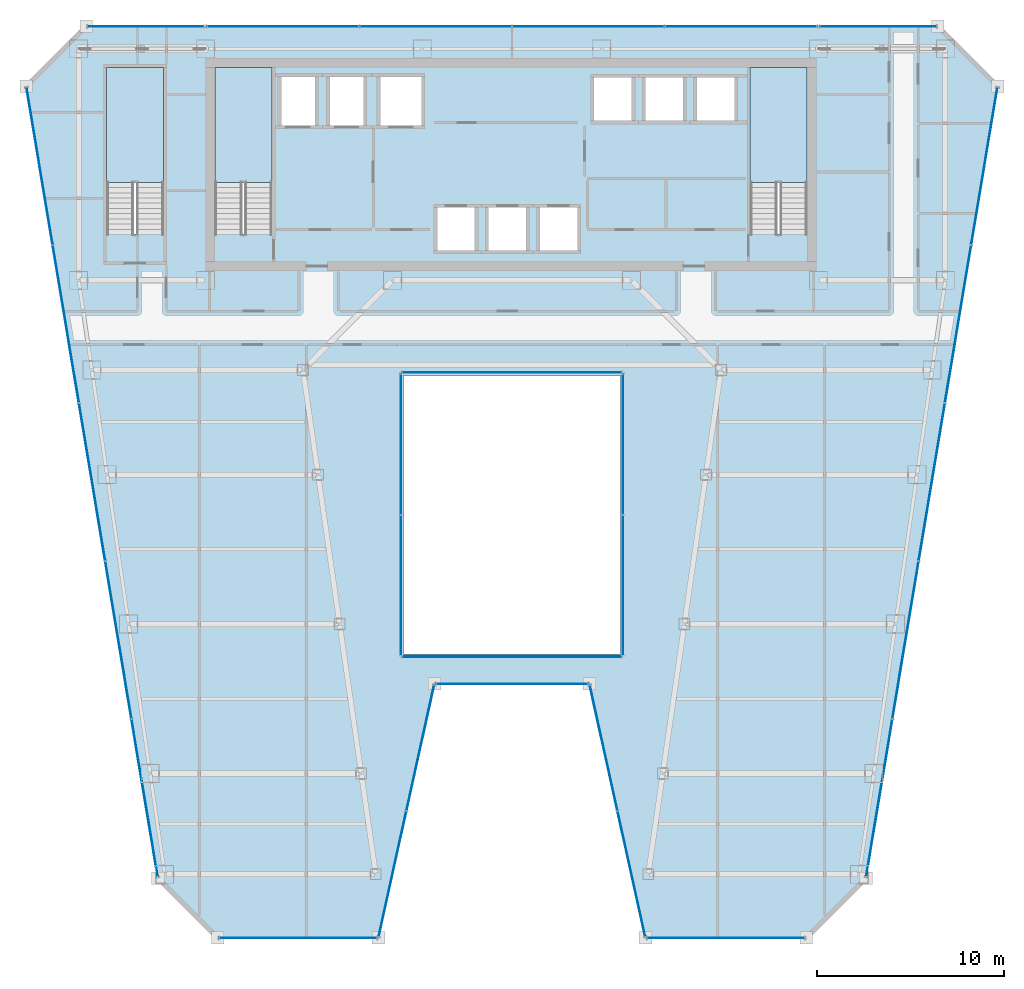
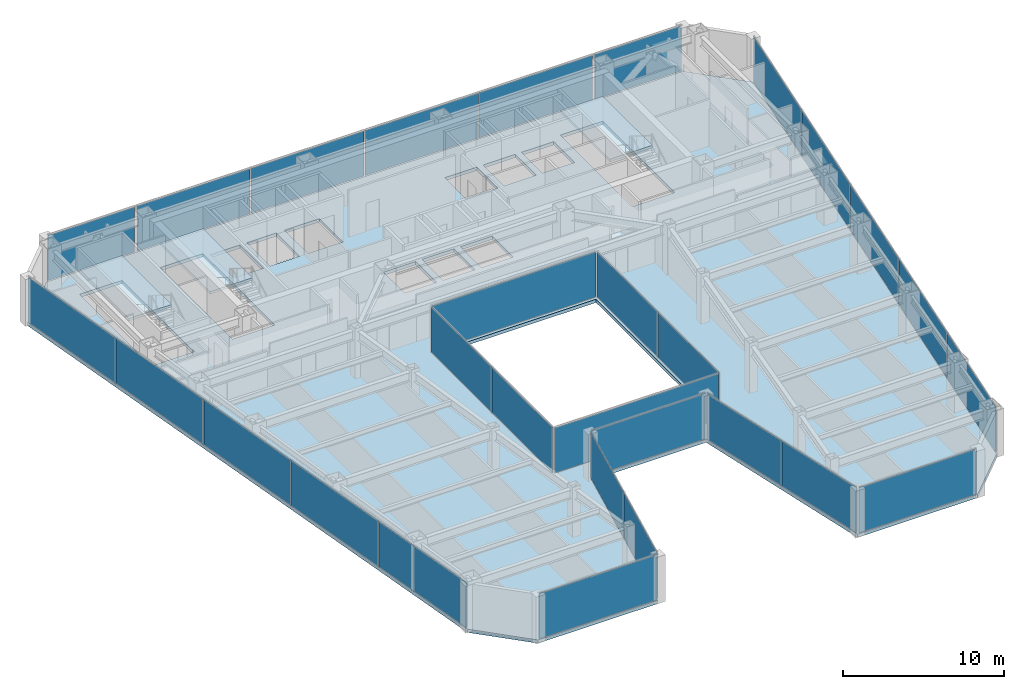
# One storey, part 31 of 40: 29 plates, 4 slabs, 17 elements without a shape of their own.
"""IFC4 building model written with IfcOpenShell, lengths in metres."""

from ifc_helpers import new_model, si_unit, direction, frame, origin, origin_2d, place, context, subcontext, project, spatial, polyline, rectangle, outline, extrude, material, layer, layer_set, type_object, element, aggregate, save


model = new_model("IFC4")

# Units and contexts
model_context = context("Model", 3, precision=1e-05, world=origin(), true_north=direction((0.0, 1.0)))
body_context = subcontext(model_context, "Body", "Model", "MODEL_VIEW")
ifc_project = project(units=[si_unit("LENGTHUNIT", "METRE"), si_unit("AREAUNIT", "SQUARE_METRE"), si_unit("VOLUMEUNIT", "CUBIC_METRE"), si_unit("PLANEANGLEUNIT", "RADIAN"), si_unit("MASSUNIT", "GRAM", prefix="KILO")], contexts=[model_context])

# Site, building, storey
site_placement = place(None, origin())
site = spatial("IfcSite", under=ifc_project, at=site_placement, CompositionType="ELEMENT")
building_placement = place(site_placement, origin())
building = spatial("IfcBuilding", under=site, at=building_placement, Name="Saevonmaru Cultural Tower", CompositionType="ELEMENT")
storey_placement = place(building_placement, frame((0.0, 0.0, 129.60009765625)))
storey = spatial("IfcBuildingStorey", under=building, at=storey_placement, Name="L27", CompositionType="ELEMENT", Elevation=129.60009765625)

# Curtain wall, plate
ifc_material_1 = material(Name="Satin Bronze Anodised Aluminium", Category="aluminium")
curtain_wall_type_1 = type_object("IfcCurtainWallType", Name="CW-ATR-GLZ", PredefinedType="NOTDEFINED", material=ifc_material_1)
curtain_wall_1_placement = place(storey_placement, origin())
curtain_wall_1 = element("IfcCurtainWall", 1, at=curtain_wall_1_placement, inside=storey, type_object=curtain_wall_type_1, Name="L27 Vertical Atrium Glazed Smoke Screen 1", PredefinedType="NOTDEFINED")
ifc_material_2 = material(Name="Fire-Rated Laminated Atrium Glass", Category="glass")
ifc_layer_1 = layer(ifc_material_2, 0.031982421875, Name="Fire-Rated Laminated Atrium Glass")
ifc_layer_set_1 = layer_set([ifc_layer_1], Name="Fire-Rated Laminated Atrium Glass")
plate_type_1 = type_object("IfcPlateType", Name="PN-GLZ-ATR-INT", PredefinedType="CURTAIN_PANEL", material=ifc_layer_set_1)
plate_1_placement = place(storey_placement, frame((30.0, 22.25, 0.06689453125), z_axis=(0.0, 0.0, 1.0), x_axis=(1.0, 0.0, 0.0)))
plate_1 = element("IfcPlate", 2, at=plate_1_placement, type_object=plate_type_1, Name="CW-ATR-L27-1 panel 1.1", PredefinedType="CURTAIN_PANEL", context=body_context, shape_type="SweptSolid", body=[
    extrude(rectangle(XDim=11.7109375, YDim=0.031982421875, at=origin_2d()), origin(), (0.0, 0.0, 1.0), 3.416015625),
])
aggregate(curtain_wall_1, [plate_1])

# Curtain wall, plates
curtain_wall_2_placement = place(storey_placement, origin())
curtain_wall_2 = element("IfcCurtainWall", 3, at=curtain_wall_2_placement, inside=storey, type_object=curtain_wall_type_1, Name="L27 Vertical Atrium Glazed Smoke Screen 2", PredefinedType="NOTDEFINED")
plate_2_placement = place(storey_placement, frame((35.949951171875, 26.0849609375, 0.06689453125), z_axis=(0.0, 0.0, 1.0), x_axis=(0.0, 1.0, 0.0)))
plate_2 = element("IfcPlate", 4, at=plate_2_placement, type_object=plate_type_1, Name="CW-ATR-L27-2 panel 1.1", PredefinedType="CURTAIN_PANEL", context=body_context, shape_type="SweptSolid", body=[
    extrude(rectangle(XDim=7.48095703125, YDim=0.031982421875, at=origin_2d()), origin(), (0.0, 0.0, 1.0), 3.416015625),
])
plate_3_placement = place(storey_placement, frame((35.949951171875, 33.635009765625, 0.06689453125), z_axis=(0.0, 0.0, 1.0), x_axis=(0.0, 1.0, 0.0)))
plate_3 = element("IfcPlate", 5, at=plate_3_placement, type_object=plate_type_1, Name="CW-ATR-L27-2 panel 2.1", PredefinedType="CURTAIN_PANEL", context=body_context, shape_type="SweptSolid", body=[
    extrude(rectangle(XDim=7.48095703125, YDim=0.031982421875, at=origin_2d()), origin(), (0.0, 0.0, 1.0), 3.416015625),
])
aggregate(curtain_wall_2, [plate_2, plate_3])

# Curtain wall, plate
curtain_wall_3_placement = place(storey_placement, origin())
curtain_wall_3 = element("IfcCurtainWall", 6, at=curtain_wall_3_placement, inside=storey, type_object=curtain_wall_type_1, Name="L27 Vertical Atrium Glazed Smoke Screen 3", PredefinedType="NOTDEFINED")
plate_4_placement = place(storey_placement, frame((30.0, 37.469970703125, 0.06689453125), z_axis=(0.0, 0.0, 1.0), x_axis=(-1.0, 0.0, 0.0)))
plate_4 = element("IfcPlate", 7, at=plate_4_placement, type_object=plate_type_1, Name="CW-ATR-L27-3 panel 1.1", PredefinedType="CURTAIN_PANEL", context=body_context, shape_type="SweptSolid", body=[
    extrude(rectangle(XDim=11.7109375, YDim=0.031982421875, at=origin_2d()), origin(), (0.0, 0.0, 1.0), 3.416015625),
])
aggregate(curtain_wall_3, [plate_4])

# Curtain wall, plates
curtain_wall_4_placement = place(storey_placement, origin())
curtain_wall_4 = element("IfcCurtainWall", 8, at=curtain_wall_4_placement, inside=storey, type_object=curtain_wall_type_1, Name="L27 Vertical Atrium Glazed Smoke Screen 4", PredefinedType="NOTDEFINED")
plate_5_placement = place(storey_placement, frame((24.050048828125, 33.635009765625, 0.06689453125), z_axis=(0.0, 0.0, 1.0), x_axis=(0.0, -1.0, 0.0)))
plate_5 = element("IfcPlate", 9, at=plate_5_placement, type_object=plate_type_1, Name="CW-ATR-L27-4 panel 1.1", PredefinedType="CURTAIN_PANEL", context=body_context, shape_type="SweptSolid", body=[
    extrude(rectangle(XDim=7.48095703125, YDim=0.031982421875, at=origin_2d()), origin(), (0.0, 0.0, 1.0), 3.416015625),
])
plate_6_placement = place(storey_placement, frame((24.050048828125, 26.0849609375, 0.06689453125), z_axis=(0.0, 0.0, 1.0), x_axis=(0.0, -1.0, 0.0)))
plate_6 = element("IfcPlate", 10, at=plate_6_placement, type_object=plate_type_1, Name="CW-ATR-L27-4 panel 2.1", PredefinedType="CURTAIN_PANEL", context=body_context, shape_type="SweptSolid", body=[
    extrude(rectangle(XDim=7.48095703125, YDim=0.031982421875, at=origin_2d()), origin(), (0.0, 0.0, 1.0), 3.416015625),
])
aggregate(curtain_wall_4, [plate_5, plate_6])

# Curtain wall, plate
curtain_wall_type_2 = type_object("IfcCurtainWallType", Name="CW-SKY-GLZ", PredefinedType="NOTDEFINED", material=ifc_material_1)
curtain_wall_5_placement = place(storey_placement, origin())
curtain_wall_5 = element("IfcCurtainWall", 11, at=curtain_wall_5_placement, inside=storey, type_object=curtain_wall_type_2, Name="L27 Unitised Curtain Wall E2", PredefinedType="NOTDEFINED")
ifc_material_3 = material(Name="Triple Silver Low-E Insulating Glass", Category="glass")
ifc_layer_2 = layer(ifc_material_3, 0.035888671875, Name="Triple Silver Low-E Insulating Glass")
ifc_layer_set_2 = layer_set([ifc_layer_2], Name="Triple Silver Low-E Insulating Glass")
plate_type_2 = type_object("IfcPlateType", Name="PN-GLZ-IGU", PredefinedType="CURTAIN_PANEL", material=ifc_layer_set_2)
plate_7_placement = place(storey_placement, frame((18.548828125, 7.199951171875, 0.06689453125), z_axis=(0.0, 0.0, 1.0), x_axis=(1.0, 0.0, 0.0)))
plate_7 = element("IfcPlate", 12, at=plate_7_placement, type_object=plate_type_2, Name="CW-TW-L27-E2 panel 1.1", PredefinedType="CURTAIN_PANEL", context=body_context, shape_type="SweptSolid", body=[
    extrude(rectangle(XDim=8.410888671875, YDim=0.035888671875, at=origin_2d()), origin(), (0.0, 0.0, 1.0), 3.416015625),
])
aggregate(curtain_wall_5, [plate_7])

# Curtain wall, plates
curtain_wall_6_placement = place(storey_placement, origin())
curtain_wall_6 = element("IfcCurtainWall", 13, at=curtain_wall_6_placement, inside=storey, type_object=curtain_wall_type_2, Name="L27 Unitised Curtain Wall E3", PredefinedType="NOTDEFINED")
plate_8_placement = place(storey_placement, frame((23.60546875, 10.62939453125, 0.06689453125), z_axis=(0.0, 0.0, 1.0), x_axis=(0.215413319953, 0.976522965212, 0.0)))
plate_8 = element("IfcPlate", 14, at=plate_8_placement, type_object=plate_type_2, Name="CW-TW-L27-E3 panel 1.1", PredefinedType="CURTAIN_PANEL", context=body_context, shape_type="SweptSolid", body=[
    extrude(rectangle(XDim=6.83447265625, YDim=0.035888671875, at=origin_2d()), origin(), (0.0, 0.0, 1.0), 3.416015625),
])
plate_9_placement = place(storey_placement, frame((25.092529296875, 17.37060546875, 0.06689453125), z_axis=(0.0, 0.0, 1.0), x_axis=(0.215413319953, 0.976522965212, 0.0)))
plate_9 = element("IfcPlate", 15, at=plate_9_placement, type_object=plate_type_2, Name="CW-TW-L27-E3 panel 2.1", PredefinedType="CURTAIN_PANEL", context=body_context, shape_type="SweptSolid", body=[
    extrude(rectangle(XDim=6.83447265625, YDim=0.035888671875, at=origin_2d()), origin(), (0.0, 0.0, 1.0), 3.416015625),
])
aggregate(curtain_wall_6, [plate_8, plate_9])

# Curtain wall, plate
curtain_wall_7_placement = place(storey_placement, origin())
curtain_wall_7 = element("IfcCurtainWall", 16, at=curtain_wall_7_placement, inside=storey, type_object=curtain_wall_type_2, Name="L27 Unitised Curtain Wall E4", PredefinedType="NOTDEFINED")
plate_10_placement = place(storey_placement, frame((30.0, 20.800048828125, 0.06689453125), z_axis=(0.0, 0.0, 1.0), x_axis=(1.0, 0.0, 0.0)))
plate_10 = element("IfcPlate", 17, at=plate_10_placement, type_object=plate_type_2, Name="CW-TW-L27-E4 panel 1.1", PredefinedType="CURTAIN_PANEL", context=body_context, shape_type="SweptSolid", body=[
    extrude(rectangle(XDim=8.11328125, YDim=0.035888671875, at=origin_2d()), origin(), (0.0, 0.0, 1.0), 3.416015625),
])
aggregate(curtain_wall_7, [plate_10])

# Curtain wall, plates
curtain_wall_8_placement = place(storey_placement, origin())
curtain_wall_8 = element("IfcCurtainWall", 18, at=curtain_wall_8_placement, inside=storey, type_object=curtain_wall_type_2, Name="L27 Unitised Curtain Wall E5", PredefinedType="NOTDEFINED")
plate_11_placement = place(storey_placement, frame((34.907470703125, 17.37060546875, 0.06689453125), z_axis=(0.0, 0.0, 1.0), x_axis=(0.215413319953, -0.976522965212, 0.0)))
plate_11 = element("IfcPlate", 19, at=plate_11_placement, type_object=plate_type_2, Name="CW-TW-L27-E5 panel 1.1", PredefinedType="CURTAIN_PANEL", context=body_context, shape_type="SweptSolid", body=[
    extrude(rectangle(XDim=6.83447265625, YDim=0.035888671875, at=origin_2d()), origin(), (0.0, 0.0, 1.0), 3.416015625),
])
plate_12_placement = place(storey_placement, frame((36.39453125, 10.62939453125, 0.06689453125), z_axis=(0.0, 0.0, 1.0), x_axis=(0.215413319953, -0.976522965212, 0.0)))
plate_12 = element("IfcPlate", 20, at=plate_12_placement, type_object=plate_type_2, Name="CW-TW-L27-E5 panel 2.1", PredefinedType="CURTAIN_PANEL", context=body_context, shape_type="SweptSolid", body=[
    extrude(rectangle(XDim=6.83447265625, YDim=0.035888671875, at=origin_2d()), origin(), (0.0, 0.0, 1.0), 3.416015625),
])
aggregate(curtain_wall_8, [plate_11, plate_12])

# Curtain wall, plate
curtain_wall_9_placement = place(storey_placement, origin())
curtain_wall_9 = element("IfcCurtainWall", 21, at=curtain_wall_9_placement, inside=storey, type_object=curtain_wall_type_2, Name="L27 Unitised Curtain Wall E6", PredefinedType="NOTDEFINED")
plate_13_placement = place(storey_placement, frame((41.451171875, 7.199951171875, 0.06689453125), z_axis=(0.0, 0.0, 1.0), x_axis=(1.0, 0.0, 0.0)))
plate_13 = element("IfcPlate", 22, at=plate_13_placement, type_object=plate_type_2, Name="CW-TW-L27-E6 panel 1.1", PredefinedType="CURTAIN_PANEL", context=body_context, shape_type="SweptSolid", body=[
    extrude(rectangle(XDim=8.410888671875, YDim=0.035888671875, at=origin_2d()), origin(), (0.0, 0.0, 1.0), 3.416015625),
])
aggregate(curtain_wall_9, [plate_13])

# Curtain wall, plates
curtain_wall_10_placement = place(storey_placement, origin())
curtain_wall_10 = element("IfcCurtainWall", 23, at=curtain_wall_10_placement, inside=storey, type_object=curtain_wall_type_2, Name="L27 Unitised Curtain Wall E8", PredefinedType="NOTDEFINED")
plate_14_placement = place(storey_placement, frame((49.663818359375, 14.687255859375, 0.06689453125), z_axis=(0.0, 0.0, 1.0), x_axis=(0.163998702345, 0.986460554523, 0.0)))
plate_14 = element("IfcPlate", 24, at=plate_14_placement, type_object=plate_type_2, Name="CW-TW-L27-E8 panel 1.1", PredefinedType="CURTAIN_PANEL", context=body_context, shape_type="SweptSolid", body=[
    extrude(rectangle(XDim=8.50341796875, YDim=0.035888671875, at=origin_2d()), origin(), (0.0, 0.0, 1.0), 3.416015625),
])
plate_15_placement = place(storey_placement, frame((51.069580078125, 23.143798828125, 0.06689453125), z_axis=(0.0, 0.0, 1.0), x_axis=(0.163998702345, 0.986460554523, 0.0)))
plate_15 = element("IfcPlate", 25, at=plate_15_placement, type_object=plate_type_2, Name="CW-TW-L27-E8 panel 2.1", PredefinedType="CURTAIN_PANEL", context=body_context, shape_type="SweptSolid", body=[
    extrude(rectangle(XDim=8.50341796875, YDim=0.035888671875, at=origin_2d()), origin(), (0.0, 0.0, 1.0), 3.416015625),
])
plate_16_placement = place(storey_placement, frame((52.4755859375, 31.60009765625, 0.06689453125), z_axis=(0.0, 0.0, 1.0), x_axis=(0.163998702345, 0.986460554523, 0.0)))
plate_16 = element("IfcPlate", 26, at=plate_16_placement, type_object=plate_type_2, Name="CW-TW-L27-E8 panel 3.1", PredefinedType="CURTAIN_PANEL", context=body_context, shape_type="SweptSolid", body=[
    extrude(rectangle(XDim=8.50341796875, YDim=0.035888671875, at=origin_2d()), origin(), (0.0, 0.0, 1.0), 3.416015625),
])
plate_17_placement = place(storey_placement, frame((53.88134765625, 40.056396484375, 0.06689453125), z_axis=(0.0, 0.0, 1.0), x_axis=(0.163998702345, 0.986460554523, 0.0)))
plate_17 = element("IfcPlate", 27, at=plate_17_placement, type_object=plate_type_2, Name="CW-TW-L27-E8 panel 4.1", PredefinedType="CURTAIN_PANEL", context=body_context, shape_type="SweptSolid", body=[
    extrude(rectangle(XDim=8.50341796875, YDim=0.035888671875, at=origin_2d()), origin(), (0.0, 0.0, 1.0), 3.416015625),
])
plate_18_placement = place(storey_placement, frame((55.287353515625, 48.5126953125, 0.06689453125), z_axis=(0.0, 0.0, 1.0), x_axis=(0.163998702345, 0.986460554523, 0.0)))
plate_18 = element("IfcPlate", 28, at=plate_18_placement, type_object=plate_type_2, Name="CW-TW-L27-E8 panel 5.1", PredefinedType="CURTAIN_PANEL", context=body_context, shape_type="SweptSolid", body=[
    extrude(rectangle(XDim=8.50341796875, YDim=0.035888671875, at=origin_2d()), origin(), (0.0, 0.0, 1.0), 3.416015625),
])
aggregate(curtain_wall_10, [plate_14, plate_15, plate_16, plate_17, plate_18])

curtain_wall_11_placement = place(storey_placement, origin())
curtain_wall_11 = element("IfcCurtainWall", 29, at=curtain_wall_11_placement, inside=storey, type_object=curtain_wall_type_2, Name="L27 North Spine Unitised Curtain Wall E10B", PredefinedType="NOTDEFINED")
plate_19_placement = place(storey_placement, frame((42.2548828125, 56.0, 0.06689453125), z_axis=(0.0, 0.0, 1.0), x_axis=(-1.0, 0.0, 0.0)))
plate_19 = element("IfcPlate", 30, at=plate_19_placement, type_object=plate_type_2, Name="CW-TW-L27-E10B panel 1.1", PredefinedType="CURTAIN_PANEL", context=body_context, shape_type="SweptSolid", body=[
    extrude(rectangle(XDim=8.10107421875, YDim=0.035888671875, at=origin_2d()), origin(), (0.0, 0.0, 1.0), 3.416015625),
])
plate_20_placement = place(storey_placement, frame((34.0849609375, 56.0, 0.06689453125), z_axis=(0.0, 0.0, 1.0), x_axis=(-1.0, 0.0, 0.0)))
plate_20 = element("IfcPlate", 31, at=plate_20_placement, type_object=plate_type_2, Name="CW-TW-L27-E10B panel 2.1", PredefinedType="CURTAIN_PANEL", context=body_context, shape_type="SweptSolid", body=[
    extrude(rectangle(XDim=8.10107421875, YDim=0.035888671875, at=origin_2d()), origin(), (0.0, 0.0, 1.0), 3.416015625),
])
plate_21_placement = place(storey_placement, frame((25.9150390625, 56.0, 0.06689453125), z_axis=(0.0, 0.0, 1.0), x_axis=(-1.0, 0.0, 0.0)))
plate_21 = element("IfcPlate", 32, at=plate_21_placement, type_object=plate_type_2, Name="CW-TW-L27-E10B panel 3.1", PredefinedType="CURTAIN_PANEL", context=body_context, shape_type="SweptSolid", body=[
    extrude(rectangle(XDim=8.10107421875, YDim=0.035888671875, at=origin_2d()), origin(), (0.0, 0.0, 1.0), 3.416015625),
])
plate_22_placement = place(storey_placement, frame((17.7451171875, 56.0, 0.06689453125), z_axis=(0.0, 0.0, 1.0), x_axis=(-1.0, 0.0, 0.0)))
plate_22 = element("IfcPlate", 33, at=plate_22_placement, type_object=plate_type_2, Name="CW-TW-L27-E10B panel 4.1", PredefinedType="CURTAIN_PANEL", context=body_context, shape_type="SweptSolid", body=[
    extrude(rectangle(XDim=8.10107421875, YDim=0.035888671875, at=origin_2d()), origin(), (0.0, 0.0, 1.0), 3.416015625),
])
aggregate(curtain_wall_11, [plate_19, plate_20, plate_21, plate_22])

curtain_wall_12_placement = place(storey_placement, origin())
curtain_wall_12 = element("IfcCurtainWall", 34, at=curtain_wall_12_placement, inside=storey, type_object=curtain_wall_type_2, Name="L27 Unitised Curtain Wall E12", PredefinedType="NOTDEFINED")
plate_23_placement = place(storey_placement, frame((4.712646484375, 48.5126953125, 0.06689453125), z_axis=(0.0, 0.0, 1.0), x_axis=(0.163998702345, -0.986460554523, 0.0)))
plate_23 = element("IfcPlate", 35, at=plate_23_placement, type_object=plate_type_2, Name="CW-TW-L27-E12 panel 1.1", PredefinedType="CURTAIN_PANEL", context=body_context, shape_type="SweptSolid", body=[
    extrude(rectangle(XDim=8.50341796875, YDim=0.035888671875, at=origin_2d()), origin(), (0.0, 0.0, 1.0), 3.416015625),
])
plate_24_placement = place(storey_placement, frame((6.11865234375, 40.056396484375, 0.06689453125), z_axis=(0.0, 0.0, 1.0), x_axis=(0.163998702345, -0.986460554523, 0.0)))
plate_24 = element("IfcPlate", 36, at=plate_24_placement, type_object=plate_type_2, Name="CW-TW-L27-E12 panel 2.1", PredefinedType="CURTAIN_PANEL", context=body_context, shape_type="SweptSolid", body=[
    extrude(rectangle(XDim=8.50341796875, YDim=0.035888671875, at=origin_2d()), origin(), (0.0, 0.0, 1.0), 3.416015625),
])
plate_25_placement = place(storey_placement, frame((7.5244140625, 31.60009765625, 0.06689453125), z_axis=(0.0, 0.0, 1.0), x_axis=(0.163998702345, -0.986460554523, 0.0)))
plate_25 = element("IfcPlate", 37, at=plate_25_placement, type_object=plate_type_2, Name="CW-TW-L27-E12 panel 3.1", PredefinedType="CURTAIN_PANEL", context=body_context, shape_type="SweptSolid", body=[
    extrude(rectangle(XDim=8.50341796875, YDim=0.035888671875, at=origin_2d()), origin(), (0.0, 0.0, 1.0), 3.416015625),
])
plate_26_placement = place(storey_placement, frame((8.930419921875, 23.143798828125, 0.06689453125), z_axis=(0.0, 0.0, 1.0), x_axis=(0.163998702345, -0.986460554523, 0.0)))
plate_26 = element("IfcPlate", 38, at=plate_26_placement, type_object=plate_type_2, Name="CW-TW-L27-E12 panel 4.1", PredefinedType="CURTAIN_PANEL", context=body_context, shape_type="SweptSolid", body=[
    extrude(rectangle(XDim=8.50341796875, YDim=0.035888671875, at=origin_2d()), origin(), (0.0, 0.0, 1.0), 3.416015625),
])
plate_27_placement = place(storey_placement, frame((10.336181640625, 14.687255859375, 0.06689453125), z_axis=(0.0, 0.0, 1.0), x_axis=(0.163998702345, -0.986460554523, 0.0)))
plate_27 = element("IfcPlate", 39, at=plate_27_placement, type_object=plate_type_2, Name="CW-TW-L27-E12 panel 5.1", PredefinedType="CURTAIN_PANEL", context=body_context, shape_type="SweptSolid", body=[
    extrude(rectangle(XDim=8.50341796875, YDim=0.035888671875, at=origin_2d()), origin(), (0.0, 0.0, 1.0), 3.416015625),
])
aggregate(curtain_wall_12, [plate_23, plate_24, plate_25, plate_26, plate_27])

# Curtain wall, plate
curtain_wall_13_placement = place(storey_placement, origin())
curtain_wall_13 = element("IfcCurtainWall", 40, at=curtain_wall_13_placement, inside=storey, type_object=curtain_wall_type_2, Name="L27 East Braced Bay Spandrel Curtain Wall E10A", PredefinedType="NOTDEFINED")
ifc_material_4 = material(Name="Insulated Satin Bronze Aluminium Spandrel Panel", Category="aluminium")
ifc_layer_3 = layer(ifc_material_4, 0.0400390625, Name="Insulated Satin Bronze Aluminium Spandrel Panel")
ifc_layer_set_3 = layer_set([ifc_layer_3], Name="Insulated Satin Bronze Aluminium Spandrel Panel")
plate_type_3 = type_object("IfcPlateType", Name="PN-SPANDREL-BRONZE", PredefinedType="CURTAIN_PANEL", material=ifc_layer_set_3)
plate_28_placement = place(storey_placement, frame((49.60009765625, 56.0, 0.06689453125), z_axis=(0.0, 0.0, 1.0), x_axis=(-1.0, 0.0, 0.0)))
plate_28 = element("IfcPlate", 41, at=plate_28_placement, type_object=plate_type_3, Name="CW-TW-L27-E10A panel 1.1", PredefinedType="CURTAIN_PANEL", context=body_context, shape_type="SweptSolid", body=[
    extrude(rectangle(XDim=6.2109375, YDim=0.035888671875, at=origin_2d()), origin(), (0.0, 0.0, 1.0), 3.416015625),
])
aggregate(curtain_wall_13, [plate_28])

curtain_wall_14_placement = place(storey_placement, origin())
curtain_wall_14 = element("IfcCurtainWall", 42, at=curtain_wall_14_placement, inside=storey, type_object=curtain_wall_type_2, Name="L27 West Braced Bay Spandrel Curtain Wall E10C", PredefinedType="NOTDEFINED")
plate_29_placement = place(storey_placement, frame((10.39990234375, 56.0, 0.06689453125), z_axis=(0.0, 0.0, 1.0), x_axis=(-1.0, 0.0, 0.0)))
plate_29 = element("IfcPlate", 43, at=plate_29_placement, type_object=plate_type_3, Name="CW-TW-L27-E10C panel 1.1", PredefinedType="CURTAIN_PANEL", context=body_context, shape_type="SweptSolid", body=[
    extrude(rectangle(XDim=6.2109375, YDim=0.035888671875, at=origin_2d()), origin(), (0.0, 0.0, 1.0), 3.416015625),
])
aggregate(curtain_wall_14, [plate_29])

# Slab
ifc_material_5 = material(Name="Concrete C40/50", Category="concrete")
ifc_layer_4 = layer(ifc_material_5, 0.25, Name="Concrete C40/50")
ifc_layer_set_4 = layer_set([ifc_layer_4], Name="Concrete C40/50")
slab_type_1 = type_object("IfcSlabType", Name="SL-FLR-250", PredefinedType="FLOOR", material=ifc_layer_set_4)
slab_1_placement = place(storey_placement, frame((0.0, 0.0, -0.25)))
element("IfcSlab", 44, at=slab_1_placement, inside=storey, type_object=slab_type_1, Name="L27 Tower Structural Floor Slab", PredefinedType="FLOOR", context=body_context, shape_type="SweptSolid", body=[
    extrude(outline(polyline([(11.048828125, 10.39990234375), (14.248779296875, 7.199951171875), (22.848876953125, 7.199951171875), (25.848876953125, 20.800048828125), (34.151123046875, 20.800048828125), (37.151123046875, 7.199951171875), (45.751220703125, 7.199951171875), (48.951171875, 10.39990234375), (56.0, 52.800048828125), (52.800048828125, 56.0), (7.199951171875, 56.0), (4.0, 52.800048828125), (11.048828125, 10.39990234375)]), holes=[polyline([(45.800048828125, 44.875), (42.75, 44.875), (42.75, 53.800048828125), (45.800048828125, 53.800048828125), (45.800048828125, 44.875)]), polyline([(39.75, 50.800048828125), (39.75, 53.39990234375), (42.050048828125, 53.39990234375), (42.050048828125, 50.800048828125), (39.75, 50.800048828125)]), polyline([(37.0, 50.800048828125), (37.0, 53.39990234375), (39.300048828125, 53.39990234375), (39.300048828125, 50.800048828125), (37.0, 50.800048828125)]), polyline([(34.25, 50.800048828125), (34.25, 53.39990234375), (36.550048828125, 53.39990234375), (36.550048828125, 50.800048828125), (34.25, 50.800048828125)]), polyline([(24.199951171875, 22.39990234375), (24.199951171875, 37.320068359375), (35.800048828125, 37.320068359375), (35.800048828125, 22.39990234375), (24.199951171875, 22.39990234375)]), polyline([(31.35009765625, 43.85009765625), (31.35009765625, 46.449951171875), (33.64990234375, 46.449951171875), (33.64990234375, 43.85009765625), (31.35009765625, 43.85009765625)]), polyline([(28.60009765625, 43.85009765625), (28.60009765625, 46.449951171875), (30.89990234375, 46.449951171875), (30.89990234375, 43.85009765625), (28.60009765625, 43.85009765625)]), polyline([(28.14990234375, 43.85009765625), (25.85009765625, 43.85009765625), (25.85009765625, 46.449951171875), (28.14990234375, 46.449951171875), (28.14990234375, 43.85009765625)]), polyline([(25.300048828125, 50.550048828125), (22.800048828125, 50.550048828125), (22.800048828125, 53.449951171875), (25.300048828125, 53.449951171875), (25.300048828125, 50.550048828125)]), polyline([(20.10009765625, 50.550048828125), (20.10009765625, 53.449951171875), (22.199951171875, 53.449951171875), (22.199951171875, 50.550048828125), (20.10009765625, 50.550048828125)]), polyline([(17.5, 50.550048828125), (17.5, 53.449951171875), (19.60009765625, 53.449951171875), (19.60009765625, 50.550048828125), (17.5, 50.550048828125)]), polyline([(17.14990234375, 53.800048828125), (17.14990234375, 44.875), (14.10009765625, 44.875), (14.10009765625, 53.800048828125), (17.14990234375, 53.800048828125)]), polyline([(11.35009765625, 44.875), (8.300048828125, 44.875), (8.300048828125, 53.800048828125), (11.35009765625, 53.800048828125), (11.35009765625, 44.875)])]), origin(), (0.0, 0.0, 1.0), 0.25),
])

# Stair, slab
stair_type = type_object("IfcStairType", Name="STR-DOGLEG-RC", PredefinedType="HALF_TURN_STAIR", material=ifc_material_5)
stair_1_placement = place(storey_placement, origin())
stair_1 = element("IfcStair", 45, at=stair_1_placement, inside=storey, type_object=stair_type, Name="L27 Protected exit stair ST-1", PredefinedType="HALF_TURN_STAIR")
ifc_layer_5 = layer(ifc_material_5, 0.199951171875, Name="Concrete C40/50")
ifc_layer_set_5 = layer_set([ifc_layer_5], Name="Concrete C40/50")
slab_type_2 = type_object("IfcSlabType", Name="SL-STAIR-LANDING", PredefinedType="LANDING", material=ifc_layer_set_5)
slab_2_placement = place(storey_placement, frame((0.0, 0.0, 1.699951171875)))
slab_2 = element("IfcSlab", 46, at=slab_2_placement, type_object=slab_type_2, Name="ST-1-L27 landing 1", PredefinedType="LANDING", context=body_context, shape_type="SweptSolid", body=[
    extrude(outline(polyline([(17.14990234375, 47.64990234375), (17.14990234375, 53.800048828125), (14.10009765625, 53.800048828125), (14.10009765625, 47.64990234375), (17.14990234375, 47.64990234375)])), origin(), (0.0, 0.0, 1.0), 0.199951171875),
])
aggregate(stair_1, [slab_2])

stair_2_placement = place(storey_placement, origin())
stair_2 = element("IfcStair", 47, at=stair_2_placement, inside=storey, type_object=stair_type, Name="L27 Protected exit stair ST-2", PredefinedType="HALF_TURN_STAIR")
slab_3_placement = place(storey_placement, frame((0.0, 0.0, 1.699951171875)))
slab_3 = element("IfcSlab", 48, at=slab_3_placement, type_object=slab_type_2, Name="ST-2-L27 landing 1", PredefinedType="LANDING", context=body_context, shape_type="SweptSolid", body=[
    extrude(outline(polyline([(45.800048828125, 47.64990234375), (45.800048828125, 53.800048828125), (42.75, 53.800048828125), (42.75, 47.64990234375), (45.800048828125, 47.64990234375)])), origin(), (0.0, 0.0, 1.0), 0.199951171875),
])
aggregate(stair_2, [slab_3])

stair_3_placement = place(storey_placement, origin())
stair_3 = element("IfcStair", 49, at=stair_3_placement, inside=storey, type_object=stair_type, Name="L27 Protected exit stair ST-3", PredefinedType="HALF_TURN_STAIR")
slab_4_placement = place(storey_placement, frame((0.0, 0.0, 1.699951171875)))
slab_4 = element("IfcSlab", 50, at=slab_4_placement, type_object=slab_type_2, Name="ST-3-L27 landing 1", PredefinedType="LANDING", context=body_context, shape_type="SweptSolid", body=[
    extrude(outline(polyline([(11.35009765625, 47.64990234375), (11.35009765625, 53.800048828125), (8.300048828125, 53.800048828125), (8.300048828125, 47.64990234375), (11.35009765625, 47.64990234375)])), origin(), (0.0, 0.0, 1.0), 0.199951171875),
])
aggregate(stair_3, [slab_4])

save(model, "model.ifc")
